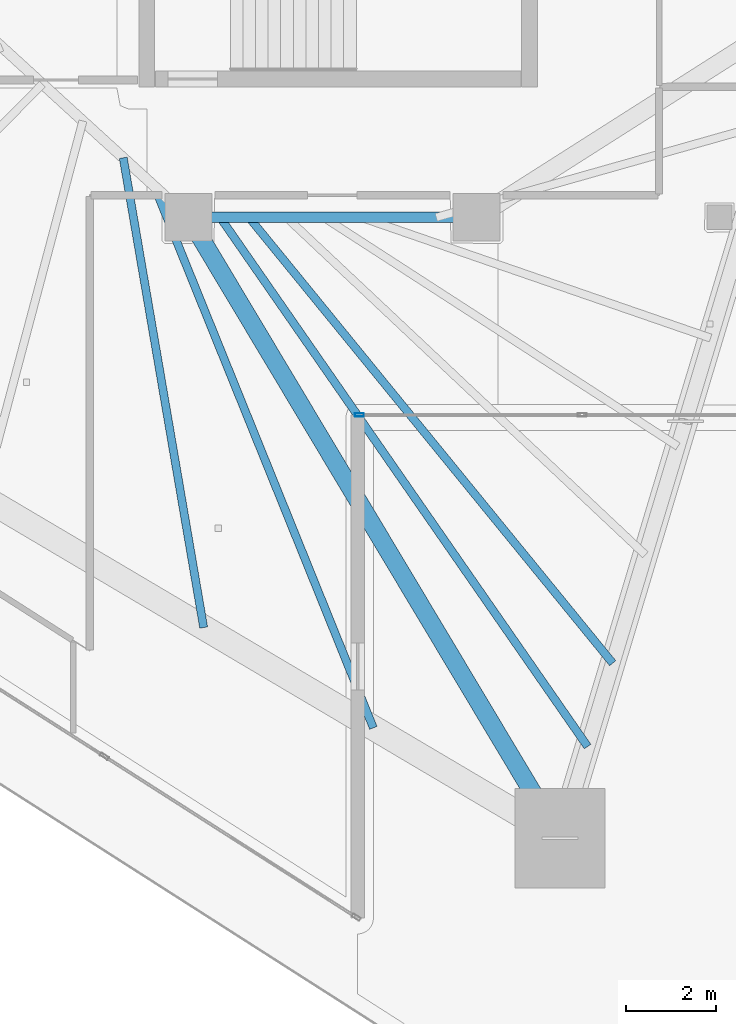
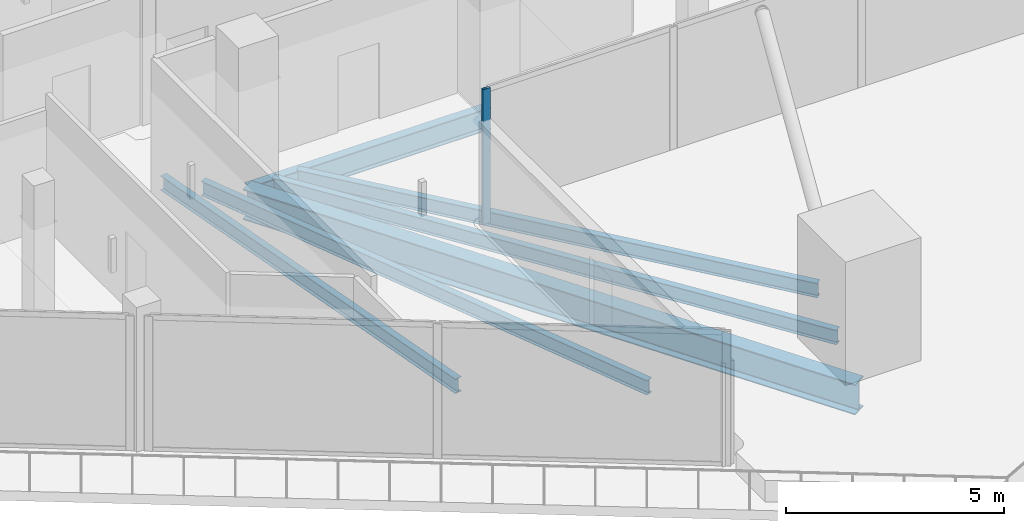
# One storey, part 8 of 38: 6 beams, 1 member, 1 element without a shape of its own.
"""IFC4 building model written with IfcOpenShell, lengths in metres."""

from ifc_helpers import new_model, si_unit, direction, frame, origin, origin_2d, place, context, subcontext, project, spatial, hollow_rectangle, i_section, extrude, material, layer, layer_set, material_profile, profile_set, type_object, element, aggregate, save


model = new_model("IFC4")

# Units and contexts
model_context = context("Model", 3, precision=1e-05, world=origin(), true_north=direction((0.0, 1.0)))
body_context = subcontext(model_context, "Body", "Model", "MODEL_VIEW")
ifc_project = project(units=[si_unit("LENGTHUNIT", "METRE"), si_unit("AREAUNIT", "SQUARE_METRE"), si_unit("VOLUMEUNIT", "CUBIC_METRE"), si_unit("PLANEANGLEUNIT", "RADIAN"), si_unit("MASSUNIT", "GRAM", prefix="KILO")], contexts=[model_context])

# Site, building, storey
site_placement = place(None, origin())
site = spatial("IfcSite", under=ifc_project, at=site_placement, CompositionType="ELEMENT")
building_placement = place(site_placement, origin())
building = spatial("IfcBuilding", under=site, at=building_placement, Name="Qorvath Tower", CompositionType="ELEMENT")
storey_placement = place(building_placement, frame((0.0, 0.0, 158.39990234375)))
storey = spatial("IfcBuildingStorey", under=building, at=storey_placement, Name="L36", CompositionType="ELEMENT", Elevation=158.39990234375)

# Beams
ifc_material_1 = material(Name="Steel ASTM A992 Grade 50", Category="steel")
ifc_material_profile_1 = material_profile(ifc_material_1, i_section(OverallWidth=0.39892578125, OverallDepth=0.85498046875, WebThickness=0.018310546875, FlangeThickness=0.029296875, FilletRadius=0.02001953125, at=origin_2d()), Name="W33x201")
ifc_profile_set_1 = profile_set([ifc_material_profile_1], Name="Steel ASTM A992 Grade 50")
beam_type_1 = type_object("IfcBeamType", Name="BM-FG2", PredefinedType="BEAM", material=ifc_profile_set_1)
beam_1_placement = place(storey_placement, frame((-23.60009765625, -11.449951171875, -0.697509765625), z_axis=(0.513497213955, -0.85809126045, 0.0), x_axis=(0.85809126045, 0.513497213955, 0.0)))
element("IfcBeam", 1, at=beam_1_placement, inside=storey, type_object=beam_type_1, Name="Radial Floor Girder CC4-MC3 L36", PredefinedType="BEAM", context=body_context, shape_type="SweptSolid", body=[
    extrude(i_section(OverallWidth=0.39892578125, OverallDepth=0.85498046875, WebThickness=0.018310546875, FlangeThickness=0.029296875, FilletRadius=0.02001953125, at=origin_2d()), origin(), (0.0, 0.0, 1.0), 16.07763671875),
])
ifc_material_2 = material(Name="Steel ASTM A992 Grade 50", Category="steel")
ifc_material_profile_2 = material_profile(ifc_material_2, i_section(OverallWidth=0.22998046875, OverallDepth=0.616943359375, WebThickness=0.01318359375, FlangeThickness=0.022216796875, FilletRadius=0.014892578125, at=origin_2d()), Name="W24x94")
ifc_profile_set_2 = profile_set([ifc_material_profile_2], Name="Steel ASTM A992 Grade 50")
beam_type_2 = type_object("IfcBeamType", Name="BM-FG6", PredefinedType="BEAM", material=ifc_profile_set_2)
beam_2_placement = place(storey_placement, frame((-17.199951171875, -11.449951171875, -0.57861328125), z_axis=(-1.0, 0.0, 0.0), x_axis=(0.0, -1.0, 0.0)))
element("IfcBeam", 2, at=beam_2_placement, inside=storey, type_object=beam_type_2, Name="Core Ring Girder CC3-CC4 L36", PredefinedType="BEAM", context=body_context, shape_type="SweptSolid", body=[
    extrude(i_section(OverallWidth=0.22998046875, OverallDepth=0.616943359375, WebThickness=0.01318359375, FlangeThickness=0.022216796875, FilletRadius=0.014892578125, at=origin_2d()), origin(), (0.0, 0.0, 1.0), 6.400146484375),
])
ifc_material_3 = material(Name="Steel ASTM A992 Grade 50", Category="steel")
ifc_material_profile_3 = material_profile(ifc_material_3, i_section(OverallWidth=0.177978515625, OverallDepth=0.406005859375, WebThickness=0.0078125, FlangeThickness=0.0126953125, FilletRadius=0.010986328125, at=origin_2d()), Name="W16x40")
ifc_profile_set_3 = profile_set([ifc_material_profile_3], Name="Steel ASTM A992 Grade 50")
beam_type_3 = type_object("IfcBeamType", Name="BM-FJ3", PredefinedType="JOIST", material=ifc_profile_set_3)
beam_3_placement = place(storey_placement, frame((-22.256103515625, -11.449951171875, -0.472900390625), z_axis=(0.632187975212, -0.774815051478, 0.0), x_axis=(0.774815051478, 0.632187975212, 0.0)))
element("IfcBeam", 3, at=beam_3_placement, inside=storey, type_object=beam_type_3, Name="Composite Floor Joist SE6 L36", PredefinedType="JOIST", context=body_context, shape_type="SweptSolid", body=[
    extrude(i_section(OverallWidth=0.177978515625, OverallDepth=0.406005859375, WebThickness=0.0078125, FlangeThickness=0.0126953125, FilletRadius=0.010986328125, at=origin_2d()), origin(), (0.0, 0.0, 1.0), 12.784912109375),
])
beam_4_placement = place(storey_placement, frame((-22.89599609375, -11.449951171875, -0.472900390625), z_axis=(0.570366725248, -0.821390162304, 0.0), x_axis=(0.821390162304, 0.570366725248, 0.0)))
element("IfcBeam", 4, at=beam_4_placement, inside=storey, type_object=beam_type_3, Name="Composite Floor Joist SE7 L36", PredefinedType="JOIST", context=body_context, shape_type="SweptSolid", body=[
    extrude(i_section(OverallWidth=0.177978515625, OverallDepth=0.406005859375, WebThickness=0.0078125, FlangeThickness=0.0126953125, FilletRadius=0.010986328125, at=origin_2d()), origin(), (0.0, 0.0, 1.0), 14.3154296875),
])
beam_5_placement = place(storey_placement, frame((-25.049072265625, -10.126953125, -0.472900390625), z_axis=(0.168745594245, -0.985659639238, 0.0), x_axis=(0.985659639238, 0.168745594245, 0.0)))
element("IfcBeam", 5, at=beam_5_placement, inside=storey, type_object=beam_type_3, Name="Composite Floor Joist SW6 L36", PredefinedType="JOIST", context=body_context, shape_type="SweptSolid", body=[
    extrude(i_section(OverallWidth=0.177978515625, OverallDepth=0.406005859375, WebThickness=0.0078125, FlangeThickness=0.0126953125, FilletRadius=0.010986328125, at=origin_2d()), origin(), (0.0, 0.0, 1.0), 10.589111328125),
])
beam_6_placement = place(storey_placement, frame((-24.35888671875, -10.757080078125, -0.472900390625), z_axis=(0.37487652097, -0.927074751045, 0.0), x_axis=(0.927074751045, 0.37487652097, 0.0)))
element("IfcBeam", 6, at=beam_6_placement, inside=storey, type_object=beam_type_3, Name="Composite Floor Joist SW7 L36", PredefinedType="JOIST", context=body_context, shape_type="SweptSolid", body=[
    extrude(i_section(OverallWidth=0.177978515625, OverallDepth=0.406005859375, WebThickness=0.0078125, FlangeThickness=0.0126953125, FilletRadius=0.010986328125, at=origin_2d()), origin(), (0.0, 0.0, 1.0), 12.9833984375),
])

# Curtain wall, member
ifc_material_4 = material(Name="Anodised aluminium and triple low-E glass", Category="aluminium")
ifc_layer = layer(ifc_material_4, 0.179931640625)
ifc_layer_set = layer_set([ifc_layer], Name="CW-SYS-5")
curtain_wall_type = type_object("IfcCurtainWallType", Name="CW-SYS-5", PredefinedType="NOTDEFINED", material=ifc_layer_set)
curtain_wall_placement = place(storey_placement, origin())
curtain_wall = element("IfcCurtainWall", 7, at=curtain_wall_placement, inside=storey, type_object=curtain_wall_type, Name="Curtain Wall CW-5 CW-T-L36-2.1", PredefinedType="NOTDEFINED")
ifc_material_5 = material(Name="Anodised aluminium 6063-T6", Category="aluminium")
ifc_material_profile_4 = material_profile(ifc_material_5, hollow_rectangle(XDim=0.074951171875, YDim=0.199951171875, WallThickness=0.00390625, InnerFilletRadius=0.00390625, OuterFilletRadius=0.008056640625, at=origin_2d()), Name="CWM 200x75")
ifc_profile_set_4 = profile_set([ifc_material_profile_4], Name="Anodised aluminium 6063-T6")
member_type = type_object("IfcMemberType", Name="CWM-200", PredefinedType="MULLION", material=ifc_profile_set_4)
member_placement = place(storey_placement, frame((-19.802490234375, -15.840087890625, 0.0), z_axis=(0.0, 0.0, 1.0), x_axis=(0.0, 1.0, 0.0)))
member = element("IfcMember", 8, at=member_placement, type_object=member_type, Name="CW-5 mullion 1", PredefinedType="MULLION", context=body_context, shape_type="SweptSolid", body=[
    extrude(hollow_rectangle(XDim=0.074951171875, YDim=0.199951171875, WallThickness=0.00390625, InnerFilletRadius=0.00390625, OuterFilletRadius=0.008056640625, at=origin_2d()), origin(), (0.0, 0.0, 1.0), 3.780029296875),
])
aggregate(curtain_wall, [member])

save(model, "model.ifc")
